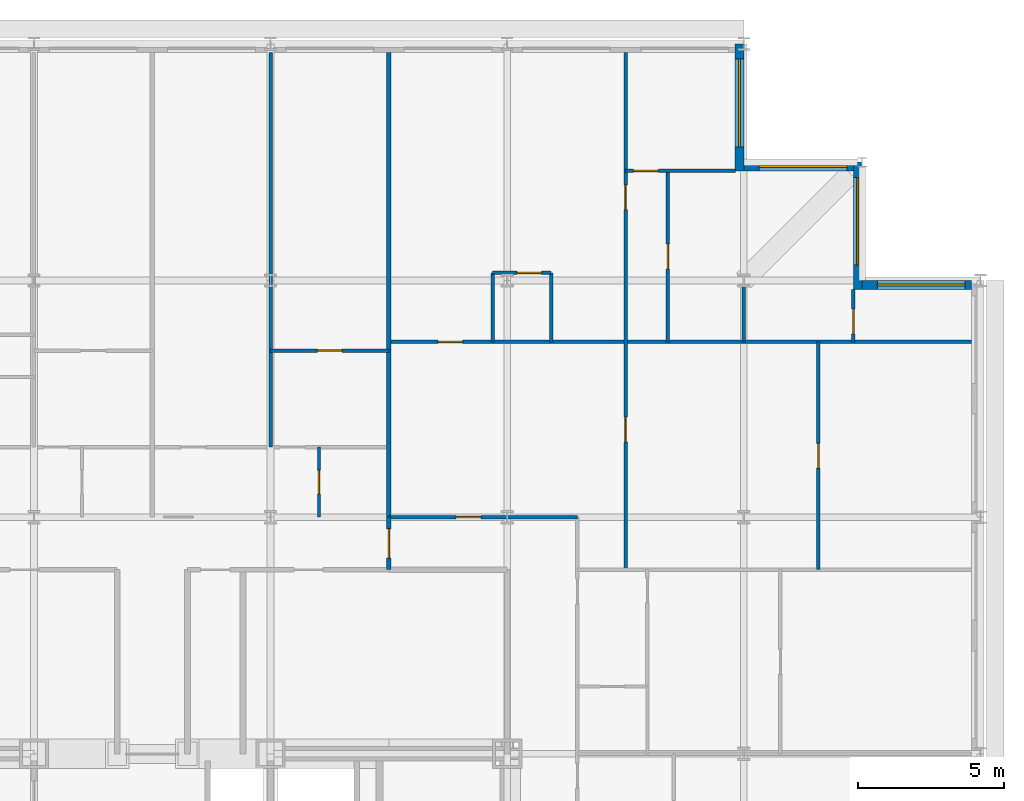
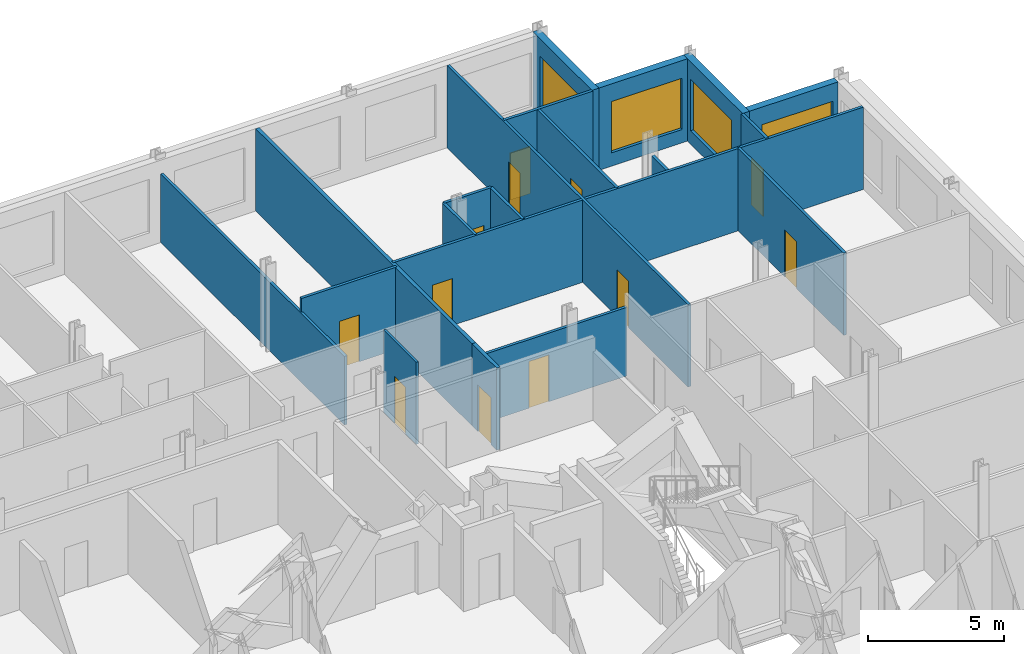
# One storey, part 14 of 16: 20 walls, 12 doors, 4 windows, 16 openings.
"""IFC4 building model written with IfcOpenShell, lengths in metres."""

import ifcopenshell
import ifcopenshell.guid

model = None  # the IFC model being written
_history = None  # IfcOwnerHistory: only IFC2X3 demands one
_inside = {}  # id of a spatial element -> (the spatial element, [elements in it])
_under = {}  # id of a project, library or spatial element -> (it, [spatial elements below it])
_declared = {}  # id of a project -> (the project, [libraries it declares])
_typed = {}  # id of a type object -> (the type object, [elements of that type])
_made_of = {}  # id of a material, layer set ... -> (it, [elements and type objects made of it])


def new_model(schema):
    """Start an empty IFC model of exactly this schema.

    Asked for "IFC4X3", IfcOpenShell would pick the latest addendum, in which some entities
    have other attributes; the version numbers below select the first issue.
    IFC2X3 requires an IfcOwnerHistory on every rooted entity: one is made here for all.
    """
    global model, _history
    if schema == "IFC4X3":
        model = ifcopenshell.file(schema_version=(4, 3, 0, 0))
    else:
        model = ifcopenshell.file(schema=schema)
    _inside.clear()
    _under.clear()
    _declared.clear()
    _typed.clear()
    _made_of.clear()
    _history = None
    if model.schema == "IFC2X3":
        org = make("IfcOrganization", Name="unknown")
        user = make(
            "IfcPersonAndOrganization",
            ThePerson=make("IfcPerson", FamilyName="unknown"),
            TheOrganization=org,
        )
        app = make(
            "IfcApplication",
            ApplicationDeveloper=org,
            Version="unknown",
            ApplicationFullName="unknown",
            ApplicationIdentifier="unknown",
        )
        _history = make(
            "IfcOwnerHistory",
            OwningUser=user,
            OwningApplication=app,
            ChangeAction="ADDED",
            CreationDate=0,
        )
    return model


def make(cls, **values):
    """One entity of the class cls with the attributes given. An attribute that is None is left unset."""
    return model.create_entity(
        cls, **{name: value for name, value in values.items() if value is not None}
    )


def rooted(cls, **values):
    """An entity with a GlobalId (a new one), such as an element, a storey or a relation."""
    return make(cls, GlobalId=ifcopenshell.guid.new(), OwnerHistory=_history, **values)


def si_unit(unit_type, name, prefix=None):
    """IfcSIUnit, for example si_unit("LENGTHUNIT", "METRE", prefix="MILLI")."""
    return make("IfcSIUnit", UnitType=unit_type, Prefix=prefix, Name=name)


def assignment(units):
    """IfcUnitAssignment: the units of a project."""
    return None if units is None else make("IfcUnitAssignment", Units=units)


def point(xyz):
    """IfcCartesianPoint."""
    return None if xyz is None else make("IfcCartesianPoint", Coordinates=xyz)


def direction(xyz):
    """IfcDirection."""
    return None if xyz is None else make("IfcDirection", DirectionRatios=xyz)


def frame(location, z_axis=None, x_axis=None):
    """IfcAxis2Placement3D, a coordinate frame: its origin and axes. An axis left out is left unset."""
    return make(
        "IfcAxis2Placement3D",
        Location=point(location),
        Axis=direction(z_axis),
        RefDirection=direction(x_axis),
    )


def frame_2d(location, x_axis=None):
    """IfcAxis2Placement2D, a coordinate frame in the plane: its origin and x axis."""
    return make(
        "IfcAxis2Placement2D", Location=point(location), RefDirection=direction(x_axis)
    )


def origin():
    """The frame at (0, 0, 0) with its axes left unset."""
    return frame((0.0, 0.0, 0.0))


def place(relative_to, where):
    """IfcLocalPlacement: puts the frame where relative to a parent placement (None: the world)."""
    return make(
        "IfcLocalPlacement", PlacementRelTo=relative_to, RelativePlacement=where
    )


def context(
    kind, dimensions, precision=None, world=None, true_north=None, identifier=None
):
    """IfcGeometricRepresentationContext, for example the 3D "Model" context."""
    return make(
        "IfcGeometricRepresentationContext",
        ContextIdentifier=identifier,
        ContextType=kind,
        CoordinateSpaceDimension=dimensions,
        Precision=precision,
        WorldCoordinateSystem=world,
        TrueNorth=true_north,
    )


def subcontext(parent, identifier, kind, view, scale=None):
    """IfcGeometricRepresentationSubContext, for example "Body" below "Model"."""
    return make(
        "IfcGeometricRepresentationSubContext",
        ContextIdentifier=identifier,
        ContextType=kind,
        ParentContext=parent,
        TargetScale=scale,
        TargetView=view,
    )


def project(units=None, contexts=None):
    """IfcProject with its units and contexts."""
    return rooted(
        "IfcProject",
        Name="project",
        RepresentationContexts=contexts,
        UnitsInContext=assignment(units),
    )


def spatial(cls, under=None, at=None, **own):
    """A site, building, storey or space (cls), placed at a placement, below another one or the project."""
    s = rooted(cls, ObjectPlacement=at, **own)
    if under is not None:
        _under.setdefault(under.id(), (under, []))[1].append(s)
    return s


def profile(cls, at=None, kind="AREA", **sizes):
    """A parametric profile (cls). Its sizes go by their IFC names, for example OverallWidth=200.0."""
    return make(cls, ProfileType=kind, Position=at, **sizes)


def rectangle(**sizes):
    """IfcRectangleProfileDef."""
    return profile("IfcRectangleProfileDef", **sizes)


def extrude(swept, where, along, depth):
    """IfcExtrudedAreaSolid: the profile swept, set in the frame where, extruded along a direction by depth."""
    return make(
        "IfcExtrudedAreaSolid",
        SweptArea=swept,
        Position=where,
        ExtrudedDirection=direction(along),
        Depth=depth,
    )


def shape(context_of_items, identifier, shape_type, items):
    """IfcShapeRepresentation: the items that make up one representation, for example the "Body"."""
    return make(
        "IfcShapeRepresentation",
        ContextOfItems=context_of_items,
        RepresentationIdentifier=identifier,
        RepresentationType=shape_type,
        Items=items,
    )


def material(Name=None, Category=None):
    """IfcMaterial."""
    return make("IfcMaterial", Name=Name, Category=Category)


def layer(
    of_material, thickness, ventilated=None, Name=None, Category=None, Priority=None
):
    """IfcMaterialLayer: one layer of a wall or slab, of a material (None: an air gap)."""
    return make(
        "IfcMaterialLayer",
        Material=of_material,
        LayerThickness=thickness,
        IsVentilated=ventilated,
        Name=Name,
        Category=Category,
        Priority=Priority,
    )


def layer_set(layers, Name=None):
    """IfcMaterialLayerSet."""
    return make("IfcMaterialLayerSet", MaterialLayers=layers, LayerSetName=Name)


def made_of(thing, what):
    """Note that an element or type object is made of a material, layer set ...; save() writes the relation."""
    if what is not None:
        _made_of.setdefault(what.id(), (what, []))[1].append(thing)
    return thing


def type_object(cls, material=None, **own):
    """A type object (cls), such as IfcWallType, which elements share."""
    return made_of(rooted(cls, **own), material)


def element(
    cls,
    number,
    at=None,
    inside=None,
    cuts=None,
    type_object=None,
    material=None,
    context=None,
    identifier="Body",
    shape_type=None,
    held_by="IfcProductDefinitionShape",
    body=None,
    shapes=None,
    **own,
):
    """One element of the class cls, such as IfcWall. Its Tag is "e" and its number.

    at: its placement. inside: the storey or other place that contains it. cuts: it is an
    opening in that element (IfcRelVoidsElement). A single representation is given by context,
    identifier, shape_type and body (its items); several are given by shapes. held_by: the class
    of the entity that holds the representations. save() writes the other relations.
    """
    e = rooted(cls, Tag="e%d" % number, ObjectPlacement=at, **own)
    if body is not None:
        shapes = [shape(context, identifier, shape_type, body)]
    if shapes is not None:
        e.Representation = make(held_by, Representations=shapes)
    if inside is not None:
        _inside.setdefault(inside.id(), (inside, []))[1].append(e)
    if cuts is not None:
        rooted(
            "IfcRelVoidsElement", RelatingBuildingElement=cuts, RelatedOpeningElement=e
        )
    if type_object is not None:
        _typed.setdefault(type_object.id(), (type_object, []))[1].append(e)
    return made_of(e, material)


def fill(opening, filler):
    """IfcRelFillsElement: the door or window that sits in an opening."""
    return rooted(
        "IfcRelFillsElement",
        RelatingOpeningElement=opening,
        RelatedBuildingElement=filler,
    )


def aggregate(whole, parts):
    """IfcRelAggregates: a whole, such as a stair, and the parts it consists of."""
    return rooted("IfcRelAggregates", RelatingObject=whole, RelatedObjects=parts)


def save(model, path):
    """Write the relations noted so far, then the file.

    IfcRelAggregates (storeys below a building ...), IfcRelContainedInSpatialStructure (elements
    in a storey), IfcRelDefinesByType, IfcRelAssociatesMaterial and IfcRelDeclares: one each for
    every whole, place, type object, material and project.
    """
    for whole, parts in _under.values():
        aggregate(whole, parts)
    for where, things in _inside.values():
        rooted(
            "IfcRelContainedInSpatialStructure",
            RelatedElements=things,
            RelatingStructure=where,
        )
    for kind, things in _typed.values():
        rooted("IfcRelDefinesByType", RelatedObjects=things, RelatingType=kind)
    for what, things in _made_of.values():
        rooted("IfcRelAssociatesMaterial", RelatedObjects=things, RelatingMaterial=what)
    for by, libraries in _declared.values():
        rooted("IfcRelDeclares", RelatingContext=by, RelatedDefinitions=libraries)
    model.write(path)


model = new_model("IFC4")

# Units and contexts
model_context = context("Model", 3, precision=1e-05, world=origin(), true_north=direction((0.0, 1.0)))
body_context = subcontext(model_context, "Body", "Model", "MODEL_VIEW")
ifc_project = project(units=[si_unit("LENGTHUNIT", "METRE"), si_unit("AREAUNIT", "SQUARE_METRE"), si_unit("VOLUMEUNIT", "CUBIC_METRE"), si_unit("PLANEANGLEUNIT", "RADIAN"), si_unit("MASSUNIT", "GRAM", prefix="KILO")], contexts=[model_context])

# Site, building, storey
site_placement = place(None, origin())
site = spatial("IfcSite", under=ifc_project, at=site_placement, CompositionType="ELEMENT")
building_placement = place(site_placement, origin())
building = spatial("IfcBuilding", under=site, at=building_placement, Name="Kopane Lantern Tower", CompositionType="ELEMENT")
storey_placement = place(building_placement, frame((0.0, 0.0, 261.89990234375)))
storey = spatial("IfcBuildingStorey", under=building, at=storey_placement, Name="L67", CompositionType="ELEMENT", Elevation=261.89990234375)

# Wall
ifc_material_1 = material(Name="Gypsum board on steel studs", Category="steel")
ifc_layer_1 = layer(ifc_material_1, 0.1201171875)
ifc_layer_set_1 = layer_set([ifc_layer_1], Name="APARTMENT INTERNAL WALL 120")
wall_type_1 = type_object("IfcWallType", Name="APARTMENT INTERNAL WALL 120", PredefinedType="PARTITIONING", material=ifc_layer_set_1)
wall_1_placement = place(storey_placement, frame((32.39990234375, 51.0, 0.0), z_axis=(0.0, 0.0, 1.0), x_axis=(0.0, 1.0, 0.0)))
element("IfcWall", 1, at=wall_1_placement, inside=storey, type_object=wall_type_1, Name="Apartment Internal Wall 120 L67", PredefinedType="PARTITIONING", context=body_context, shape_type="SweptSolid", body=[
    extrude(rectangle(XDim=13.5, YDim=0.1201171875, at=frame_2d((6.75, 0.0))), origin(), (0.0, 0.0, 1.0), 3.077880859375),
])

# Wall, opening, door
wall_2_placement = place(storey_placement, frame((36.449951171875, 48.60009765625, 0.0), z_axis=(0.0, 0.0, 1.0), x_axis=(1.0, 0.0, 0.0)))
wall_2 = element("IfcWall", 2, at=wall_2_placement, inside=storey, type_object=wall_type_1, Name="Apartment Internal Wall 120 L67", PredefinedType="PARTITIONING", context=body_context, shape_type="SweptSolid", body=[
    extrude(rectangle(XDim=6.449951171875, YDim=0.1201171875, at=frame_2d((3.22509765625, 0.0))), origin(), (0.0, 0.0, 1.0), 3.077880859375),
])
opening_1_placement = place(wall_2_placement, frame((2.300048828125, 0.0, 0.0)))
opening_1 = element("IfcOpeningElement", 3, at=opening_1_placement, cuts=wall_2, Name="Opening L67-057", PredefinedType="OPENING", context=body_context, shape_type="SweptSolid", body=[
    extrude(rectangle(XDim=0.85009765625, YDim=2.10009765625, at=frame_2d((0.425048828125, 1.050048828125))), frame((0.0, 0.070068359375, 0.0), z_axis=(0.0, -1.0, 0.0), x_axis=(1.0, 0.0, 0.0)), (0.0, 0.0, 1.0), 0.14013671875),
])
ifc_material_2 = material(Name="Timber door set", Category="wood")
door_type_1 = type_object("IfcDoorType", Name="DOOR D4 850x2100", OperationType="SINGLE_SWING_LEFT", PredefinedType="DOOR", material=ifc_material_2)
door_1_placement = place(opening_1_placement, origin())
door_1 = element("IfcDoor", 4, at=door_1_placement, inside=storey, type_object=door_type_1, Name="Door L67-057", OperationType="SINGLE_SWING_LEFT", OverallHeight=2.10009765625, OverallWidth=0.85009765625, PredefinedType="DOOR", context=body_context, shape_type="SweptSolid", body=[
    extrude(rectangle(XDim=0.85009765625, YDim=2.10009765625, at=frame_2d((0.425048828125, 1.050048828125))), frame((0.0, 0.02490234375, 0.0), z_axis=(0.0, -1.0, 0.0), x_axis=(1.0, 0.0, 0.0)), (0.0, 0.0, 1.0), 0.050048828125),
])
fill(opening_1, door_1)

wall_3_placement = place(storey_placement, frame((36.449951171875, 54.60009765625, 0.0), z_axis=(0.0, 0.0, 1.0), x_axis=(1.0, 0.0, 0.0)))
wall_3 = element("IfcWall", 5, at=wall_3_placement, inside=storey, type_object=wall_type_1, Name="Apartment Internal Wall 120 L67", PredefinedType="PARTITIONING", context=body_context, shape_type="SweptSolid", body=[
    extrude(rectangle(XDim=19.949951171875, YDim=0.1201171875, at=frame_2d((9.97509765625, 0.0))), origin(), (0.0, 0.0, 1.0), 3.690185546875),
])
opening_2_placement = place(wall_3_placement, frame((1.675048828125, 0.0, 0.0)))
opening_2 = element("IfcOpeningElement", 6, at=opening_2_placement, cuts=wall_3, Name="Opening L67-058", PredefinedType="OPENING", context=body_context, shape_type="SweptSolid", body=[
    extrude(rectangle(XDim=0.85009765625, YDim=2.10009765625, at=frame_2d((0.425048828125, 1.050048828125))), frame((0.0, 0.070068359375, 0.0), z_axis=(0.0, -1.0, 0.0), x_axis=(1.0, 0.0, 0.0)), (0.0, 0.0, 1.0), 0.14013671875),
])
door_2_placement = place(opening_2_placement, origin())
door_2 = element("IfcDoor", 7, at=door_2_placement, inside=storey, type_object=door_type_1, Name="Door L67-058", OperationType="SINGLE_SWING_LEFT", OverallHeight=2.10009765625, OverallWidth=0.85009765625, PredefinedType="DOOR", context=body_context, shape_type="SweptSolid", body=[
    extrude(rectangle(XDim=0.85009765625, YDim=2.10009765625, at=frame_2d((0.425048828125, 1.050048828125))), frame((0.0, 0.02490234375, 0.0), z_axis=(0.0, -1.0, 0.0), x_axis=(1.0, 0.0, 0.0)), (0.0, 0.0, 1.0), 0.050048828125),
])
fill(opening_2, door_2)

# Wall, openings, doors
wall_4_placement = place(storey_placement, frame((44.550048828125, 64.5, 0.0), z_axis=(0.0, 0.0, 1.0), x_axis=(0.0, -1.0, 0.0)))
wall_4 = element("IfcWall", 8, at=wall_4_placement, inside=storey, type_object=wall_type_1, Name="Apartment Internal Wall 120 L67", PredefinedType="PARTITIONING", context=body_context, shape_type="SweptSolid", body=[
    extrude(rectangle(XDim=17.699951171875, YDim=0.1201171875, at=frame_2d((8.85009765625, 0.0))), origin(), (0.0, 0.0, 1.0), 3.690185546875),
])
opening_3_placement = place(wall_4_placement, frame((12.47509765625, 0.0, 0.0)))
opening_3 = element("IfcOpeningElement", 9, at=opening_3_placement, cuts=wall_4, Name="Opening L67-059", PredefinedType="OPENING", context=body_context, shape_type="SweptSolid", body=[
    extrude(rectangle(XDim=0.85009765625, YDim=2.10009765625, at=frame_2d((0.425048828125, 1.050048828125))), frame((0.0, 0.070068359375, 0.0), z_axis=(0.0, -1.0, 0.0), x_axis=(1.0, 0.0, 0.0)), (0.0, 0.0, 1.0), 0.14013671875),
])
opening_4_placement = place(wall_4_placement, frame((4.52490234375, 0.0, 0.0)))
opening_4 = element("IfcOpeningElement", 10, at=opening_4_placement, cuts=wall_4, Name="Opening L67-060", PredefinedType="OPENING", context=body_context, shape_type="SweptSolid", body=[
    extrude(rectangle(XDim=0.85009765625, YDim=2.10009765625, at=frame_2d((0.425048828125, 1.050048828125))), frame((0.0, 0.070068359375, 0.0), z_axis=(0.0, -1.0, 0.0), x_axis=(1.0, 0.0, 0.0)), (0.0, 0.0, 1.0), 0.14013671875),
])
door_3_placement = place(opening_3_placement, origin())
door_3 = element("IfcDoor", 11, at=door_3_placement, inside=storey, type_object=door_type_1, Name="Door L67-059", OperationType="SINGLE_SWING_LEFT", OverallHeight=2.10009765625, OverallWidth=0.85009765625, PredefinedType="DOOR", context=body_context, shape_type="SweptSolid", body=[
    extrude(rectangle(XDim=0.85009765625, YDim=2.10009765625, at=frame_2d((0.425048828125, 1.050048828125))), frame((0.0, 0.02490234375, 0.0), z_axis=(0.0, -1.0, 0.0), x_axis=(1.0, 0.0, 0.0)), (0.0, 0.0, 1.0), 0.050048828125),
])
fill(opening_3, door_3)
door_4_placement = place(opening_4_placement, origin())
door_4 = element("IfcDoor", 12, at=door_4_placement, inside=storey, type_object=door_type_1, Name="Door L67-060", OperationType="SINGLE_SWING_LEFT", OverallHeight=2.10009765625, OverallWidth=0.85009765625, PredefinedType="DOOR", context=body_context, shape_type="SweptSolid", body=[
    extrude(rectangle(XDim=0.85009765625, YDim=2.10009765625, at=frame_2d((0.425048828125, 1.050048828125))), frame((0.0, 0.02490234375, 0.0), z_axis=(0.0, -1.0, 0.0), x_axis=(1.0, 0.0, 0.0)), (0.0, 0.0, 1.0), 0.050048828125),
])
fill(opening_4, door_4)

# Wall, opening, door
wall_5_placement = place(storey_placement, frame((52.35009765625, 54.60009765625, 0.0), z_axis=(0.0, 0.0, 1.0), x_axis=(0.0, 1.0, 0.0)))
wall_5 = element("IfcWall", 13, at=wall_5_placement, inside=storey, type_object=wall_type_1, Name="Apartment Internal Wall 120 L67", PredefinedType="PARTITIONING", context=body_context, shape_type="SweptSolid", body=[
    extrude(rectangle(XDim=1.7998046875, YDim=0.1201171875, at=frame_2d((0.89990234375, 0.0))), origin(), (0.0, 0.0, 1.0), 3.690185546875),
])
opening_5_placement = place(wall_5_placement, frame((0.27490234375, 0.0, 0.0)))
opening_5 = element("IfcOpeningElement", 14, at=opening_5_placement, cuts=wall_5, Name="Opening L67-068", PredefinedType="OPENING", context=body_context, shape_type="SweptSolid", body=[
    extrude(rectangle(XDim=0.85009765625, YDim=2.10009765625, at=frame_2d((0.425048828125, 1.050048828125))), frame((0.0, 0.070068359375, 0.0), z_axis=(0.0, -1.0, 0.0), x_axis=(1.0, 0.0, 0.0)), (0.0, 0.0, 1.0), 0.14013671875),
])
door_5_placement = place(opening_5_placement, origin())
door_5 = element("IfcDoor", 15, at=door_5_placement, inside=storey, type_object=door_type_1, Name="Door L67-068", OperationType="SINGLE_SWING_RIGHT", OverallHeight=2.10009765625, OverallWidth=0.85009765625, PredefinedType="DOOR", context=body_context, shape_type="SweptSolid", body=[
    extrude(rectangle(XDim=0.85009765625, YDim=2.10009765625, at=frame_2d((0.425048828125, 1.050048828125))), frame((0.0, 0.02490234375, 0.0), z_axis=(0.0, -1.0, 0.0), x_axis=(1.0, 0.0, 0.0)), (0.0, 0.0, 1.0), 0.050048828125),
])
fill(opening_5, door_5)

wall_6_placement = place(storey_placement, frame((48.31005859375, 60.449951171875, 0.0), z_axis=(0.0, 0.0, 1.0), x_axis=(-1.0, 0.0, 0.0)))
wall_6 = element("IfcWall", 16, at=wall_6_placement, inside=storey, type_object=wall_type_1, Name="Apartment Internal Wall 120 L67", PredefinedType="PARTITIONING", context=body_context, shape_type="SweptSolid", body=[
    extrude(rectangle(XDim=3.760009765625, YDim=0.1201171875, at=frame_2d((1.8798828125, 0.0))), origin(), (0.0, 0.0, 1.0), 3.690185546875),
])
opening_6_placement = place(wall_6_placement, frame((2.635009765625, 0.0, 0.0)))
opening_6 = element("IfcOpeningElement", 17, at=opening_6_placement, cuts=wall_6, Name="Opening L67-069", PredefinedType="OPENING", context=body_context, shape_type="SweptSolid", body=[
    extrude(rectangle(XDim=0.85009765625, YDim=2.10009765625, at=frame_2d((0.425048828125, 1.050048828125))), frame((0.0, 0.070068359375, 0.0), z_axis=(0.0, -1.0, 0.0), x_axis=(1.0, 0.0, 0.0)), (0.0, 0.0, 1.0), 0.14013671875),
])
door_6_placement = place(opening_6_placement, origin())
door_6 = element("IfcDoor", 18, at=door_6_placement, inside=storey, type_object=door_type_1, Name="Door L67-069", OperationType="SINGLE_SWING_LEFT", OverallHeight=2.10009765625, OverallWidth=0.85009765625, PredefinedType="DOOR", context=body_context, shape_type="SweptSolid", body=[
    extrude(rectangle(XDim=0.85009765625, YDim=2.10009765625, at=frame_2d((0.425048828125, 1.050048828125))), frame((0.0, 0.02490234375, 0.0), z_axis=(0.0, -1.0, 0.0), x_axis=(1.0, 0.0, 0.0)), (0.0, 0.0, 1.0), 0.050048828125),
])
fill(opening_6, door_6)

wall_7_placement = place(storey_placement, frame((32.39990234375, 54.300048828125, 0.0), z_axis=(0.0, 0.0, 1.0), x_axis=(1.0, 0.0, 0.0)))
wall_7 = element("IfcWall", 19, at=wall_7_placement, inside=storey, type_object=wall_type_1, Name="Apartment Internal Wall 120 L67", PredefinedType="PARTITIONING", context=body_context, shape_type="SweptSolid", body=[
    extrude(rectangle(XDim=4.050048828125, YDim=0.1201171875, at=frame_2d((2.02490234375, 0.0))), origin(), (0.0, 0.0, 1.0), 3.690185546875),
])
opening_7_placement = place(wall_7_placement, frame((1.60009765625, 0.0, 0.0)))
opening_7 = element("IfcOpeningElement", 20, at=opening_7_placement, cuts=wall_7, Name="Opening L67-074", PredefinedType="OPENING", context=body_context, shape_type="SweptSolid", body=[
    extrude(rectangle(XDim=0.85009765625, YDim=2.10009765625, at=frame_2d((0.425048828125, 1.050048828125))), frame((0.0, 0.070068359375, 0.0), z_axis=(0.0, -1.0, 0.0), x_axis=(1.0, 0.0, 0.0)), (0.0, 0.0, 1.0), 0.14013671875),
])
door_7_placement = place(opening_7_placement, origin())
door_7 = element("IfcDoor", 21, at=door_7_placement, inside=storey, type_object=door_type_1, Name="Door L67-074", OperationType="SINGLE_SWING_RIGHT", OverallHeight=2.10009765625, OverallWidth=0.85009765625, PredefinedType="DOOR", context=body_context, shape_type="SweptSolid", body=[
    extrude(rectangle(XDim=0.85009765625, YDim=2.10009765625, at=frame_2d((0.425048828125, 1.050048828125))), frame((0.0, 0.02490234375, 0.0), z_axis=(0.0, -1.0, 0.0), x_axis=(1.0, 0.0, 0.0)), (0.0, 0.0, 1.0), 0.050048828125),
])
fill(opening_7, door_7)

wall_8_placement = place(storey_placement, frame((51.14990234375, 46.800048828125, 0.0), z_axis=(0.0, 0.0, 1.0), x_axis=(0.0, 1.0, 0.0)))
wall_8 = element("IfcWall", 22, at=wall_8_placement, inside=storey, type_object=wall_type_1, Name="Apartment Internal Wall 120 L67", PredefinedType="PARTITIONING", context=body_context, shape_type="SweptSolid", body=[
    extrude(rectangle(XDim=7.800048828125, YDim=0.1201171875, at=frame_2d((3.89990234375, 0.0))), origin(), (0.0, 0.0, 1.0), 3.690185546875),
])
opening_8_placement = place(wall_8_placement, frame((3.47509765625, 0.0, 0.0)))
opening_8 = element("IfcOpeningElement", 23, at=opening_8_placement, cuts=wall_8, Name="Opening L67-079", PredefinedType="OPENING", context=body_context, shape_type="SweptSolid", body=[
    extrude(rectangle(XDim=0.85009765625, YDim=2.10009765625, at=frame_2d((0.425048828125, 1.050048828125))), frame((0.0, 0.070068359375, 0.0), z_axis=(0.0, -1.0, 0.0), x_axis=(1.0, 0.0, 0.0)), (0.0, 0.0, 1.0), 0.14013671875),
])
door_8_placement = place(opening_8_placement, origin())
door_8 = element("IfcDoor", 24, at=door_8_placement, inside=storey, type_object=door_type_1, Name="Door L67-079", OperationType="SINGLE_SWING_RIGHT", OverallHeight=2.10009765625, OverallWidth=0.85009765625, PredefinedType="DOOR", context=body_context, shape_type="SweptSolid", body=[
    extrude(rectangle(XDim=0.85009765625, YDim=2.10009765625, at=frame_2d((0.425048828125, 1.050048828125))), frame((0.0, 0.02490234375, 0.0), z_axis=(0.0, -1.0, 0.0), x_axis=(1.0, 0.0, 0.0)), (0.0, 0.0, 1.0), 0.050048828125),
])
fill(opening_8, door_8)

wall_9_placement = place(storey_placement, frame((46.0, 54.60009765625, 0.0), z_axis=(0.0, 0.0, 1.0), x_axis=(0.0, 1.0, 0.0)))
wall_9 = element("IfcWall", 25, at=wall_9_placement, inside=storey, type_object=wall_type_1, Name="Apartment Internal Wall 120 L67", PredefinedType="PARTITIONING", context=body_context, shape_type="SweptSolid", body=[
    extrude(rectangle(XDim=5.849853515625, YDim=0.1201171875, at=frame_2d((2.9248046875, 0.0))), origin(), (0.0, 0.0, 1.0), 3.690185546875),
])
opening_9_placement = place(wall_9_placement, frame((2.5, 0.0, 0.0)))
opening_9 = element("IfcOpeningElement", 26, at=opening_9_placement, cuts=wall_9, Name="Opening L67-080", PredefinedType="OPENING", context=body_context, shape_type="SweptSolid", body=[
    extrude(rectangle(XDim=0.85009765625, YDim=2.10009765625, at=frame_2d((0.425048828125, 1.050048828125))), frame((0.0, 0.070068359375, 0.0), z_axis=(0.0, -1.0, 0.0), x_axis=(1.0, 0.0, 0.0)), (0.0, 0.0, 1.0), 0.14013671875),
])
door_9_placement = place(opening_9_placement, origin())
door_9 = element("IfcDoor", 27, at=door_9_placement, inside=storey, type_object=door_type_1, Name="Door L67-080", OperationType="SINGLE_SWING_LEFT", OverallHeight=2.10009765625, OverallWidth=0.85009765625, PredefinedType="DOOR", context=body_context, shape_type="SweptSolid", body=[
    extrude(rectangle(XDim=0.85009765625, YDim=2.10009765625, at=frame_2d((0.425048828125, 1.050048828125))), frame((0.0, 0.02490234375, 0.0), z_axis=(0.0, -1.0, 0.0), x_axis=(1.0, 0.0, 0.0)), (0.0, 0.0, 1.0), 0.050048828125),
])
fill(opening_9, door_9)

# Walls
for number, where, z_axis, x_axis, name in (
    (28, (39.9970703125, 54.60009765625, 0.0), (0.0, 0.0, 1.0), (0.0, 1.0, 0.0), "Apartment Internal Wall 120 L67"),
    (29, (42.0029296875, 54.60009765625, 0.0), (0.0, 0.0, 1.0), (0.0, 1.0, 0.0), "Apartment Internal Wall 120 L67"),
):
    element("IfcWall", number, at=place(storey_placement, frame(where, z_axis=z_axis, x_axis=x_axis)), inside=storey, type_object=wall_type_1, Name=name, PredefinedType="PARTITIONING", context=body_context, shape_type="SweptSolid", body=[
        extrude(rectangle(XDim=2.36279296875, YDim=0.1201171875, at=frame_2d((1.181396484375, 0.0))), origin(), (0.0, 0.0, 1.0), 3.690185546875),
    ])

# Wall, opening, door
wall_10_placement = place(storey_placement, frame((39.9970703125, 56.962890625, 0.0), z_axis=(0.0, 0.0, 1.0), x_axis=(1.0, 0.0, 0.0)))
wall_10 = element("IfcWall", 30, at=wall_10_placement, inside=storey, type_object=wall_type_1, Name="Apartment Internal Wall 120 L67", PredefinedType="PARTITIONING", context=body_context, shape_type="SweptSolid", body=[
    extrude(rectangle(XDim=2.005859375, YDim=0.1201171875, at=frame_2d((1.0029296875, 0.0))), origin(), (0.0, 0.0, 1.0), 3.690185546875),
])
opening_10_placement = place(wall_10_placement, frame((0.8310546875, 0.0, 0.0)))
opening_10 = element("IfcOpeningElement", 31, at=opening_10_placement, cuts=wall_10, Name="Opening L67-085", PredefinedType="OPENING", context=body_context, shape_type="SweptSolid", body=[
    extrude(rectangle(XDim=0.85009765625, YDim=2.10009765625, at=frame_2d((0.425048828125, 1.050048828125))), frame((0.0, 0.070068359375, 0.0), z_axis=(0.0, -1.0, 0.0), x_axis=(1.0, 0.0, 0.0)), (0.0, 0.0, 1.0), 0.14013671875),
])
door_10_placement = place(opening_10_placement, origin())
door_10 = element("IfcDoor", 32, at=door_10_placement, inside=storey, type_object=door_type_1, Name="Door L67-085", OperationType="SINGLE_SWING_LEFT", OverallHeight=2.10009765625, OverallWidth=0.85009765625, PredefinedType="DOOR", context=body_context, shape_type="SweptSolid", body=[
    extrude(rectangle(XDim=0.85009765625, YDim=2.10009765625, at=frame_2d((0.425048828125, 1.050048828125))), frame((0.0, 0.02490234375, 0.0), z_axis=(0.0, -1.0, 0.0), x_axis=(1.0, 0.0, 0.0)), (0.0, 0.0, 1.0), 0.050048828125),
])
fill(opening_10, door_10)

# Wall
wall_11_placement = place(storey_placement, frame((48.60009765625, 54.60009765625, 0.0), z_axis=(0.0, 0.0, 1.0), x_axis=(0.0, 1.0, 0.0)))
element("IfcWall", 33, at=wall_11_placement, inside=storey, type_object=wall_type_1, Name="Apartment Internal Wall 120 L67", PredefinedType="PARTITIONING", context=body_context, shape_type="SweptSolid", body=[
    extrude(rectangle(XDim=1.89697265625, YDim=0.1201171875, at=frame_2d((0.948486328125, 0.0))), origin(), (0.0, 0.0, 1.0), 3.077880859375),
])

# Wall, opening, door
ifc_material_3 = material(Name="Moisture-resistant board on steel studs", Category="steel")
ifc_layer_2 = layer(ifc_material_3, 0.10009765625)
ifc_layer_set_2 = layer_set([ifc_layer_2], Name="BATHROOM WALL 100")
wall_type_2 = type_object("IfcWallType", Name="BATHROOM WALL 100", PredefinedType="PARTITIONING", material=ifc_layer_set_2)
wall_12_placement = place(storey_placement, frame((34.050048828125, 48.60009765625, 0.0), z_axis=(0.0, 0.0, 1.0), x_axis=(0.0, 1.0, 0.0)))
wall_12 = element("IfcWall", 34, at=wall_12_placement, inside=storey, type_object=wall_type_2, Name="Bathroom Wall 100 L67", PredefinedType="PARTITIONING", context=body_context, shape_type="SweptSolid", body=[
    extrude(rectangle(XDim=2.39990234375, YDim=0.10009765625, at=frame_2d((1.199951171875, 0.0))), origin(), (0.0, 0.0, 1.0), 3.690185546875),
])
opening_11_placement = place(wall_12_placement, frame((0.800048828125, 0.0, 0.0)))
opening_11 = element("IfcOpeningElement", 35, at=opening_11_placement, cuts=wall_12, Name="Opening L67-027", PredefinedType="OPENING", context=body_context, shape_type="SweptSolid", body=[
    extrude(rectangle(XDim=0.800048828125, YDim=2.10009765625, at=frame_2d((0.39990234375, 1.050048828125))), frame((0.0, 0.06005859375, 0.0), z_axis=(0.0, -1.0, 0.0), x_axis=(1.0, 0.0, 0.0)), (0.0, 0.0, 1.0), 0.1201171875),
])
ifc_material_4 = material(Name="Timber door set", Category="wood")
door_type_2 = type_object("IfcDoorType", Name="DOOR D2 800x2100", OperationType="SINGLE_SWING_LEFT", PredefinedType="DOOR", material=ifc_material_4)
door_11_placement = place(opening_11_placement, origin())
door_11 = element("IfcDoor", 36, at=door_11_placement, inside=storey, type_object=door_type_2, Name="Door L67-027", OperationType="SINGLE_SWING_RIGHT", OverallHeight=2.10009765625, OverallWidth=0.800048828125, PredefinedType="DOOR", context=body_context, shape_type="SweptSolid", body=[
    extrude(rectangle(XDim=0.800048828125, YDim=2.10009765625, at=frame_2d((0.39990234375, 1.050048828125))), frame((0.0, 0.02490234375, 0.0), z_axis=(0.0, -1.0, 0.0), x_axis=(1.0, 0.0, 0.0)), (0.0, 0.0, 1.0), 0.050048828125),
])
fill(opening_11, door_11)

ifc_material_5 = material(Name="Gypsum board on steel studs", Category="steel")
ifc_layer_3 = layer(ifc_material_5, 0.14990234375)
ifc_layer_set_3 = layer_set([ifc_layer_3], Name="CORRIDOR WALL 150 EI 60")
wall_type_3 = type_object("IfcWallType", Name="CORRIDOR WALL 150 EI 60", PredefinedType="PARTITIONING", material=ifc_layer_set_3)
wall_13_placement = place(storey_placement, frame((36.449951171875, 46.800048828125, 0.0), z_axis=(0.0, 0.0, 1.0), x_axis=(0.0, 1.0, 0.0)))
wall_13 = element("IfcWall", 37, at=wall_13_placement, inside=storey, type_object=wall_type_3, Name="Corridor Wall 150 Ei 60 L67", PredefinedType="PARTITIONING", context=body_context, shape_type="SweptSolid", body=[
    extrude(rectangle(XDim=1.800048828125, YDim=0.14990234375, at=frame_2d((0.89990234375, 0.0))), origin(), (0.0, 0.0, 1.0), 3.690185546875),
])
opening_12_placement = place(wall_13_placement, frame((0.39990234375, 0.0, 0.0)))
opening_12 = element("IfcOpeningElement", 38, at=opening_12_placement, cuts=wall_13, Name="Opening L67-055", PredefinedType="OPENING", context=body_context, shape_type="SweptSolid", body=[
    extrude(rectangle(XDim=1.0, YDim=2.10009765625, at=frame_2d((0.5, 1.050048828125))), frame((0.0, 0.0849609375, 0.0), z_axis=(0.0, -1.0, 0.0), x_axis=(1.0, 0.0, 0.0)), (0.0, 0.0, 1.0), 0.169921875),
])
ifc_material_6 = material(Name="Steel door set", Category="steel")
door_type_3 = type_object("IfcDoorType", Name="DOOR D3 1000x2100 FD30S", OperationType="SINGLE_SWING_LEFT", PredefinedType="DOOR", material=ifc_material_6)
door_12_placement = place(opening_12_placement, origin())
door_12 = element("IfcDoor", 39, at=door_12_placement, inside=storey, type_object=door_type_3, Name="Door L67-055", OperationType="SINGLE_SWING_RIGHT", OverallHeight=2.10009765625, OverallWidth=1.0, PredefinedType="DOOR", context=body_context, shape_type="SweptSolid", body=[
    extrude(rectangle(XDim=1.0, YDim=2.10009765625, at=frame_2d((0.5, 1.050048828125))), frame((0.0, 0.02490234375, 0.0), z_axis=(0.0, -1.0, 0.0), x_axis=(1.0, 0.0, 0.0)), (0.0, 0.0, 1.0), 0.050048828125),
])
fill(opening_12, door_12)

# Wall
ifc_material_7 = material(Name="Gypsum board on steel studs", Category="steel")
ifc_layer_4 = layer(ifc_material_7, 0.14990234375)
ifc_layer_set_4 = layer_set([ifc_layer_4], Name="DEMISING WALL 150 EI 60")
wall_type_4 = type_object("IfcWallType", Name="DEMISING WALL 150 EI 60", PredefinedType="PARTITIONING", material=ifc_layer_set_4)
wall_14_placement = place(storey_placement, frame((36.449951171875, 64.5, 0.0), z_axis=(0.0, 0.0, 1.0), x_axis=(0.0, -1.0, 0.0)))
element("IfcWall", 40, at=wall_14_placement, inside=storey, type_object=wall_type_4, Name="Demising Wall 150 Ei 60 L67", PredefinedType="PARTITIONING", context=body_context, shape_type="SweptSolid", body=[
    extrude(rectangle(XDim=15.89990234375, YDim=0.14990234375, at=frame_2d((7.949951171875, 0.0))), origin(), (0.0, 0.0, 1.0), 3.690185546875),
])

# Wall, opening, window
ifc_material_8 = material(Name="Terracotta rainscreen on light steel framing", Category="masonry")
ifc_layer_5 = layer(ifc_material_8, 0.300048828125)
ifc_layer_set_5 = layer_set([ifc_layer_5], Name="EXTERNAL WALL EW1 300 TERRACOTTA")
wall_type_5 = type_object("IfcWallType", Name="EXTERNAL WALL EW1 300 TERRACOTTA", PredefinedType="SOLIDWALL", material=ifc_layer_set_5)
wall_15_placement = place(storey_placement, frame((56.39990234375, 56.550048828125, 0.0), z_axis=(0.0, 0.0, 1.0), x_axis=(-1.0, 0.0, 0.0)))
wall_15 = element("IfcWall", 41, at=wall_15_placement, inside=storey, type_object=wall_type_5, Name="External wall N L67", PredefinedType="SOLIDWALL", context=body_context, shape_type="SweptSolid", body=[
    extrude(rectangle(XDim=3.75, YDim=0.300048828125, at=frame_2d((1.875, 0.0))), origin(), (0.0, 0.0, 1.0), 3.690185546875),
])
opening_13_placement = place(wall_15_placement, frame((0.22509765625, 0.0, 0.60009765625)))
opening_13 = element("IfcOpeningElement", 42, at=opening_13_placement, cuts=wall_15, Name="Opening WR300230", PredefinedType="OPENING", context=body_context, shape_type="SweptSolid", body=[
    extrude(rectangle(XDim=3.0, YDim=2.300048828125, at=frame_2d((1.5, 1.14990234375))), frame((0.0, 0.159912109375, 0.0), z_axis=(0.0, -1.0, 0.0), x_axis=(1.0, 0.0, 0.0)), (0.0, 0.0, 1.0), 0.320068359375),
])
ifc_material_9 = material(Name="Aluminium and clear glass", Category="aluminium")
window_type = type_object("IfcWindowType", Name="RIBBON WINDOW WR300230 3000x2300", PartitioningType="SINGLE_PANEL", PredefinedType="WINDOW", material=ifc_material_9)
window_1_placement = place(opening_13_placement, origin())
window_1 = element("IfcWindow", 43, at=window_1_placement, inside=storey, type_object=window_type, Name="Window N L67", OverallHeight=2.300048828125, OverallWidth=3.0, PartitioningType="SINGLE_PANEL", PredefinedType="WINDOW", context=body_context, shape_type="SweptSolid", body=[
    extrude(rectangle(XDim=3.0, YDim=2.300048828125, at=frame_2d((1.5, 1.14990234375))), frame((0.0, 0.030029296875, 0.0), z_axis=(0.0, -1.0, 0.0), x_axis=(1.0, 0.0, 0.0)), (0.0, 0.0, 1.0), 0.06005859375),
])
fill(opening_13, window_1)

wall_16_placement = place(storey_placement, frame((52.5, 56.39990234375, 0.0), z_axis=(0.0, 0.0, 1.0), x_axis=(0.0, 1.0, 0.0)))
wall_16 = element("IfcWall", 44, at=wall_16_placement, inside=storey, type_object=wall_type_5, Name="External wall E L67", PredefinedType="SOLIDWALL", context=body_context, shape_type="SweptSolid", body=[
    extrude(rectangle(XDim=4.35009765625, YDim=0.300048828125, at=frame_2d((2.175048828125, 0.0))), origin(), (0.0, 0.0, 1.0), 3.690185546875),
])
opening_14_placement = place(wall_16_placement, frame((0.824951171875, 0.0, 0.60009765625)))
opening_14 = element("IfcOpeningElement", 45, at=opening_14_placement, cuts=wall_16, Name="Opening WR300230", PredefinedType="OPENING", context=body_context, shape_type="SweptSolid", body=[
    extrude(rectangle(XDim=3.0, YDim=2.300048828125, at=frame_2d((1.5, 1.14990234375))), frame((0.0, 0.159912109375, 0.0), z_axis=(0.0, -1.0, 0.0), x_axis=(1.0, 0.0, 0.0)), (0.0, 0.0, 1.0), 0.320068359375),
])
window_2_placement = place(opening_14_placement, origin())
window_2 = element("IfcWindow", 46, at=window_2_placement, inside=storey, type_object=window_type, Name="Window E L67", OverallHeight=2.300048828125, OverallWidth=3.0, PartitioningType="SINGLE_PANEL", PredefinedType="WINDOW", context=body_context, shape_type="SweptSolid", body=[
    extrude(rectangle(XDim=3.0, YDim=2.300048828125, at=frame_2d((1.5, 1.14990234375))), frame((0.0, 0.030029296875, 0.0), z_axis=(0.0, -1.0, 0.0), x_axis=(1.0, 0.0, 0.0)), (0.0, 0.0, 1.0), 0.06005859375),
])
fill(opening_14, window_2)

wall_17_placement = place(storey_placement, frame((52.35009765625, 60.60009765625, 0.0), z_axis=(0.0, 0.0, 1.0), x_axis=(-1.0, 0.0, 0.0)))
wall_17 = element("IfcWall", 47, at=wall_17_placement, inside=storey, type_object=wall_type_5, Name="External wall N L67", PredefinedType="SOLIDWALL", context=body_context, shape_type="SweptSolid", body=[
    extrude(rectangle(XDim=3.75, YDim=0.300048828125, at=frame_2d((1.875, 0.0))), origin(), (0.0, 0.0, 1.0), 3.690185546875),
])
opening_15_placement = place(wall_17_placement, frame((0.22509765625, 0.0, 0.60009765625)))
opening_15 = element("IfcOpeningElement", 48, at=opening_15_placement, cuts=wall_17, Name="Opening WR300230", PredefinedType="OPENING", context=body_context, shape_type="SweptSolid", body=[
    extrude(rectangle(XDim=3.0, YDim=2.300048828125, at=frame_2d((1.5, 1.14990234375))), frame((0.0, 0.159912109375, 0.0), z_axis=(0.0, -1.0, 0.0), x_axis=(1.0, 0.0, 0.0)), (0.0, 0.0, 1.0), 0.320068359375),
])
window_3_placement = place(opening_15_placement, origin())
window_3 = element("IfcWindow", 49, at=window_3_placement, inside=storey, type_object=window_type, Name="Window N L67", OverallHeight=2.300048828125, OverallWidth=3.0, PartitioningType="SINGLE_PANEL", PredefinedType="WINDOW", context=body_context, shape_type="SweptSolid", body=[
    extrude(rectangle(XDim=3.0, YDim=2.300048828125, at=frame_2d((1.5, 1.14990234375))), frame((0.0, 0.030029296875, 0.0), z_axis=(0.0, -1.0, 0.0), x_axis=(1.0, 0.0, 0.0)), (0.0, 0.0, 1.0), 0.06005859375),
])
fill(opening_15, window_3)

wall_18_placement = place(storey_placement, frame((48.449951171875, 60.449951171875, 0.0), z_axis=(0.0, 0.0, 1.0), x_axis=(0.0, 1.0, 0.0)))
wall_18 = element("IfcWall", 50, at=wall_18_placement, inside=storey, type_object=wall_type_5, Name="External wall E L67", PredefinedType="SOLIDWALL", context=body_context, shape_type="SweptSolid", body=[
    extrude(rectangle(XDim=4.35009765625, YDim=0.300048828125, at=frame_2d((2.175048828125, 0.0))), origin(), (0.0, 0.0, 1.0), 3.690185546875),
])
opening_16_placement = place(wall_18_placement, frame((0.824951171875, 0.0, 0.60009765625)))
opening_16 = element("IfcOpeningElement", 51, at=opening_16_placement, cuts=wall_18, Name="Opening WR300230", PredefinedType="OPENING", context=body_context, shape_type="SweptSolid", body=[
    extrude(rectangle(XDim=3.0, YDim=2.300048828125, at=frame_2d((1.5, 1.14990234375))), frame((0.0, 0.159912109375, 0.0), z_axis=(0.0, -1.0, 0.0), x_axis=(1.0, 0.0, 0.0)), (0.0, 0.0, 1.0), 0.320068359375),
])
window_4_placement = place(opening_16_placement, origin())
window_4 = element("IfcWindow", 52, at=window_4_placement, inside=storey, type_object=window_type, Name="Window E L67", OverallHeight=2.300048828125, OverallWidth=3.0, PartitioningType="SINGLE_PANEL", PredefinedType="WINDOW", context=body_context, shape_type="SweptSolid", body=[
    extrude(rectangle(XDim=3.0, YDim=2.300048828125, at=frame_2d((1.5, 1.14990234375))), frame((0.0, 0.030029296875, 0.0), z_axis=(0.0, -1.0, 0.0), x_axis=(1.0, 0.0, 0.0)), (0.0, 0.0, 1.0), 0.06005859375),
])
fill(opening_16, window_4)

save(model, "model.ifc")
